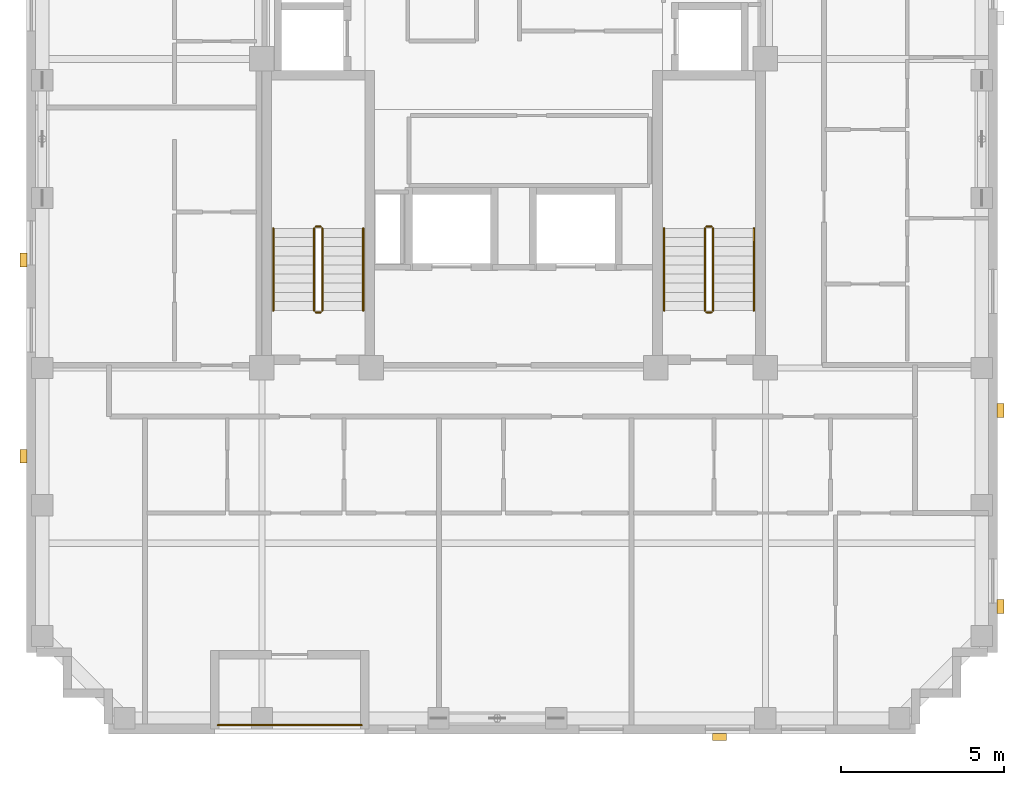
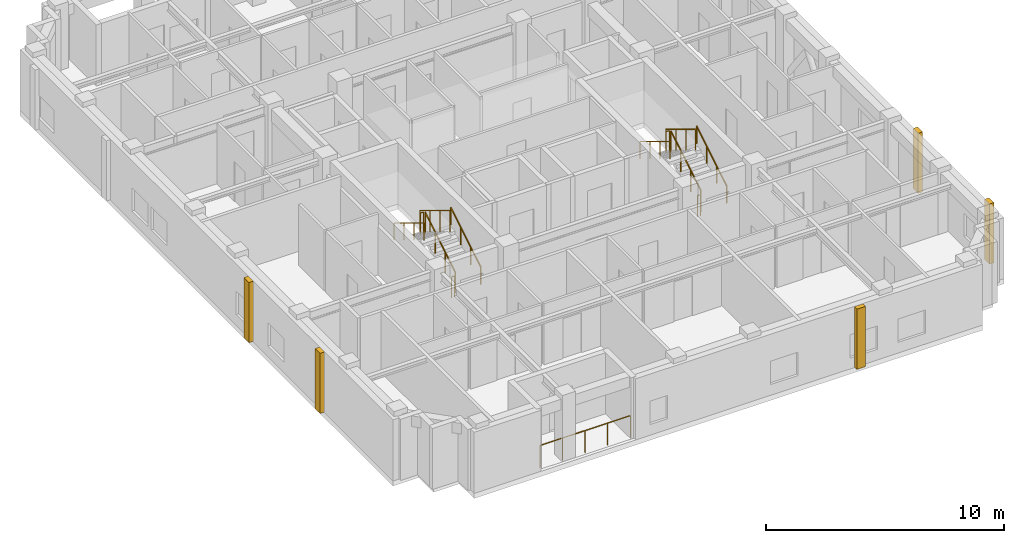
# One storey, part 10 of 11: 13 railings, 5 coverings.
"""IFC4 building model written with IfcOpenShell, lengths in metres."""

from ifc_helpers import new_model, si_unit, derived_unit, direction, frame, origin, origin_2d, place, context, subcontext, project, spatial, rectangle, circle, extrude, material, layer, layer_set, type_object, element, save


model = new_model("IFC4")

# Units and contexts
model_context = context("Model", 3, precision=1e-05, world=origin(), true_north=direction((0.0, 1.0)))
body_context = subcontext(model_context, "Body", "Model", "MODEL_VIEW")
ifc_project = project(units=[si_unit("LENGTHUNIT", "METRE"), si_unit("AREAUNIT", "SQUARE_METRE"), si_unit("VOLUMEUNIT", "CUBIC_METRE"), si_unit("PLANEANGLEUNIT", "RADIAN"), si_unit("MASSUNIT", "GRAM", prefix="KILO"), derived_unit("THERMALTRANSMITTANCEUNIT", [(si_unit("MASSUNIT", "GRAM", prefix="KILO"), 1), (si_unit("TIMEUNIT", "SECOND"), -3), (si_unit("THERMODYNAMICTEMPERATUREUNIT", "KELVIN"), -1)])], contexts=[model_context])

# Site, building, storey
site_placement = place(None, origin())
site = spatial("IfcSite", under=ifc_project, at=site_placement, CompositionType="ELEMENT")
building_placement = place(site_placement, origin())
building = spatial("IfcBuilding", under=site, at=building_placement, Name="Korrvale Station Residences", CompositionType="ELEMENT")
storey_placement = place(building_placement, frame((0.0, 0.0, 247.89990234375)))
storey = spatial("IfcBuildingStorey", under=building, at=storey_placement, Name="L72", CompositionType="ELEMENT", Elevation=247.89990234375)

# Coverings
ifc_material_1 = material(Name="Architectural precast concrete C45/55", Category="concrete")
ifc_layer = layer(ifc_material_1, 0.219970703125, Name="Architectural precast concrete C45/55")
ifc_layer_set = layer_set([ifc_layer], Name="Architectural precast concrete C45/55")
covering_type = type_object("IfcCoveringType", Name="COV-PIER-400", PredefinedType="CLADDING", material=ifc_layer_set)
for number, where, z_axis, x_axis, name in (
    (1, (31.800048828125, 3.7099609375, 0.02490234375), (0.0, 0.0, 1.0), (1.0, 0.0, 0.0), "L72 Architectural Precast Facade Pier 01"),
    (2, (10.510009765625, 12.300048828125, 0.02490234375), (0.0, 0.0, 1.0), (0.0, 1.0, 0.0), "L72 Architectural Precast Facade Pier 02"),
    (3, (10.510009765625, 18.300048828125, 0.02490234375), (0.0, 0.0, 1.0), (0.0, 1.0, 0.0), "L72 Architectural Precast Facade Pier 03"),
    (4, (40.389892578125, 13.699951171875, 0.02490234375), (0.0, 0.0, 1.0), (0.0, 1.0, 0.0), "L72 Architectural Precast Facade Pier 08"),
    (5, (40.389892578125, 7.699951171875, 0.02490234375), (0.0, 0.0, 1.0), (0.0, 1.0, 0.0), "L72 Architectural Precast Facade Pier 09"),
):
    element("IfcCovering", number, at=place(storey_placement, frame(where, z_axis=z_axis, x_axis=x_axis)), inside=storey, type_object=covering_type, Name=name, PredefinedType="CLADDING", context=body_context, shape_type="SweptSolid", body=[
        extrude(rectangle(XDim=0.419921875, YDim=0.219970703125, at=origin_2d()), origin(), (0.0, 0.0, 1.0), 3.090087890625),
    ])

# Railings
ifc_material_2 = material(Name="Powder-coated aluminium picket loggia guard", Category="aluminium")
railing_type_1 = type_object("IfcRailingType", Name="RLG-BAL-1150", PredefinedType="GUARDRAIL", material=ifc_material_2)
railing_1_placement = place(storey_placement, frame((16.449951171875, 4.070068359375, 0.0)))
element("IfcRailing", 6, at=railing_1_placement, inside=storey, type_object=railing_type_1, Name="L72 Recessed Loggia Guardrail BAL-L72-S1", PredefinedType="GUARDRAIL", context=body_context, shape_type="SweptSolid", body=[
    extrude(circle(Radius=0.02392578125, at=origin_2d()), frame((0.0, 0.0, 1.1259765625), z_axis=(1.0, 0.0, 0.0), x_axis=(0.0, 1.0, 0.0)), (0.0, 0.0, 1.0), 4.400146484375),
    extrude(circle(Radius=0.02099609375, at=origin_2d()), origin(), (0.0, 0.0, 1.0), 1.101806640625),
    extrude(circle(Radius=0.02099609375, at=origin_2d()), frame((1.10009765625, 0.0, 0.0)), (0.0, 0.0, 1.0), 1.101806640625),
    extrude(circle(Radius=0.02099609375, at=origin_2d()), frame((2.2001953125, 0.0, 0.0)), (0.0, 0.0, 1.0), 1.101806640625),
    extrude(circle(Radius=0.02099609375, at=origin_2d()), frame((3.300048828125, 0.0, 0.0)), (0.0, 0.0, 1.0), 1.101806640625),
    extrude(circle(Radius=0.02099609375, at=origin_2d()), frame((4.400146484375, 0.0, 0.0)), (0.0, 0.0, 1.0), 1.101806640625),
])
ifc_material_3 = material(Name="Brushed stainless-steel continuous stair handrail", Category="steel")
railing_type_2 = type_object("IfcRailingType", Name="RLG-SHND-900", PredefinedType="HANDRAIL", material=ifc_material_3)
railing_2_placement = place(storey_placement, frame((20.89990234375, 16.75, 0.170166015625)))
element("IfcRailing", 7, at=railing_2_placement, inside=storey, type_object=railing_type_2, Name="L72 ST-1 stair handrail 1", PredefinedType="HANDRAIL", context=body_context, shape_type="SweptSolid", body=[
    extrude(circle(Radius=0.02392578125, at=origin_2d()), frame((0.0, 0.0, 0.8759765625), z_axis=(0.0, 0.85478489116, 0.518982456201), x_axis=(-1.0, 0.0, 0.0)), (0.0, 0.0, 1.0), 2.9482421875),
    extrude(circle(Radius=0.02099609375, at=origin_2d()), origin(), (0.0, 0.0, 1.0), 0.851806640625),
    extrude(circle(Radius=0.02099609375, at=origin_2d()), frame((0.0, 0.840087890625, 0.510009765625)), (0.0, 0.0, 1.0), 0.851806640625),
    extrude(circle(Radius=0.02099609375, at=origin_2d()), frame((0.0, 1.679931640625, 1.02001953125)), (0.0, 0.0, 1.0), 0.851806640625),
    extrude(circle(Radius=0.02099609375, at=origin_2d()), frame((0.0, 2.52001953125, 1.530029296875)), (0.0, 0.0, 1.0), 0.851806640625),
])
railing_3_placement = place(storey_placement, frame((18.14990234375, 19.27001953125, 1.8701171875)))
element("IfcRailing", 8, at=railing_3_placement, inside=storey, type_object=railing_type_2, Name="L72 ST-1 stair handrail 2", PredefinedType="HANDRAIL", context=body_context, shape_type="SweptSolid", body=[
    extrude(circle(Radius=0.02392578125, at=origin_2d()), frame((0.0, 0.0, 0.8759765625), z_axis=(0.0, -0.85478489116, 0.518982456201), x_axis=(1.0, 0.0, 0.0)), (0.0, 0.0, 1.0), 2.9482421875),
    extrude(circle(Radius=0.02099609375, at=origin_2d()), origin(), (0.0, 0.0, 1.0), 0.851806640625),
    extrude(circle(Radius=0.02099609375, at=origin_2d()), frame((0.0, -0.840087890625, 0.510009765625)), (0.0, 0.0, 1.0), 0.851806640625),
    extrude(circle(Radius=0.02099609375, at=origin_2d()), frame((0.0, -1.679931640625, 1.02001953125)), (0.0, 0.0, 1.0), 0.851806640625),
    extrude(circle(Radius=0.02099609375, at=origin_2d()), frame((0.0, -2.52001953125, 1.530029296875)), (0.0, 0.0, 1.0), 0.851806640625),
])
railing_4_placement = place(storey_placement, frame((32.85009765625, 16.75, 0.170166015625)))
element("IfcRailing", 9, at=railing_4_placement, inside=storey, type_object=railing_type_2, Name="L72 ST-2 stair handrail 1", PredefinedType="HANDRAIL", context=body_context, shape_type="SweptSolid", body=[
    extrude(circle(Radius=0.02392578125, at=origin_2d()), frame((0.0, 0.0, 0.8759765625), z_axis=(0.0, 0.85478489116, 0.518982456201), x_axis=(-1.0, 0.0, 0.0)), (0.0, 0.0, 1.0), 2.9482421875),
    extrude(circle(Radius=0.02099609375, at=origin_2d()), origin(), (0.0, 0.0, 1.0), 0.851806640625),
    extrude(circle(Radius=0.02099609375, at=origin_2d()), frame((0.0, 0.840087890625, 0.510009765625)), (0.0, 0.0, 1.0), 0.851806640625),
    extrude(circle(Radius=0.02099609375, at=origin_2d()), frame((0.0, 1.679931640625, 1.02001953125)), (0.0, 0.0, 1.0), 0.851806640625),
    extrude(circle(Radius=0.02099609375, at=origin_2d()), frame((0.0, 2.52001953125, 1.530029296875)), (0.0, 0.0, 1.0), 0.851806640625),
])
railing_5_placement = place(storey_placement, frame((30.10009765625, 19.27001953125, 1.8701171875)))
element("IfcRailing", 10, at=railing_5_placement, inside=storey, type_object=railing_type_2, Name="L72 ST-2 stair handrail 2", PredefinedType="HANDRAIL", context=body_context, shape_type="SweptSolid", body=[
    extrude(circle(Radius=0.02392578125, at=origin_2d()), frame((0.0, 0.0, 0.8759765625), z_axis=(0.0, -0.85478489116, 0.518982456201), x_axis=(1.0, 0.0, 0.0)), (0.0, 0.0, 1.0), 2.9482421875),
    extrude(circle(Radius=0.02099609375, at=origin_2d()), origin(), (0.0, 0.0, 1.0), 0.851806640625),
    extrude(circle(Radius=0.02099609375, at=origin_2d()), frame((0.0, -0.840087890625, 0.510009765625)), (0.0, 0.0, 1.0), 0.851806640625),
    extrude(circle(Radius=0.02099609375, at=origin_2d()), frame((0.0, -1.679931640625, 1.02001953125)), (0.0, 0.0, 1.0), 0.851806640625),
    extrude(circle(Radius=0.02099609375, at=origin_2d()), frame((0.0, -2.52001953125, 1.530029296875)), (0.0, 0.0, 1.0), 0.851806640625),
])
ifc_material_4 = material(Name="Galvanised painted tubular steel stair guard", Category="steel")
railing_type_3 = type_object("IfcRailingType", Name="RLG-STR-1100", PredefinedType="GUARDRAIL", material=ifc_material_4)
railing_6_placement = place(storey_placement, frame((19.64990234375, 16.75, 0.170166015625)))
element("IfcRailing", 11, at=railing_6_placement, inside=storey, type_object=railing_type_3, Name="L72 ST-1 stair guard 1", PredefinedType="GUARDRAIL", context=body_context, shape_type="SweptSolid", body=[
    extrude(circle(Radius=0.02392578125, at=origin_2d()), frame((0.0, 0.0, 1.076171875), z_axis=(0.0, 0.85478489116, 0.518982456201), x_axis=(-1.0, 0.0, 0.0)), (0.0, 0.0, 1.0), 2.9482421875),
    extrude(circle(Radius=0.02099609375, at=origin_2d()), origin(), (0.0, 0.0, 1.0), 1.052001953125),
    extrude(circle(Radius=0.02099609375, at=origin_2d()), frame((0.0, 0.840087890625, 0.510009765625)), (0.0, 0.0, 1.0), 1.052001953125),
    extrude(circle(Radius=0.02099609375, at=origin_2d()), frame((0.0, 1.679931640625, 1.02001953125)), (0.0, 0.0, 1.0), 1.052001953125),
    extrude(circle(Radius=0.02099609375, at=origin_2d()), frame((0.0, 2.52001953125, 1.530029296875)), (0.0, 0.0, 1.0), 1.052001953125),
])
railing_7_placement = place(storey_placement, frame((19.60009765625, 19.320068359375, 1.7001953125)))
element("IfcRailing", 12, at=railing_7_placement, inside=storey, type_object=railing_type_3, Name="L72 ST-1 stair guard 2", PredefinedType="GUARDRAIL", context=body_context, shape_type="SweptSolid", body=[
    extrude(circle(Radius=0.02392578125, at=origin_2d()), frame((0.0, 0.0, 1.076171875), z_axis=(-1.0, 0.0, 0.0), x_axis=(0.0, -1.0, 0.0)), (0.0, 0.0, 1.0), 0.150146484375),
    extrude(circle(Radius=0.02099609375, at=origin_2d()), origin(), (0.0, 0.0, 1.0), 1.052001953125),
    extrude(circle(Radius=0.02099609375, at=origin_2d()), frame((-0.150146484375, 0.0, 0.0)), (0.0, 0.0, 1.0), 1.052001953125),
])
railing_8_placement = place(storey_placement, frame((19.39990234375, 19.27001953125, 1.8701171875)))
element("IfcRailing", 13, at=railing_8_placement, inside=storey, type_object=railing_type_3, Name="L72 ST-1 stair guard 3", PredefinedType="GUARDRAIL", context=body_context, shape_type="SweptSolid", body=[
    extrude(circle(Radius=0.02392578125, at=origin_2d()), frame((0.0, 0.0, 1.076171875), z_axis=(0.0, -0.85478489116, 0.518982456201), x_axis=(1.0, 0.0, 0.0)), (0.0, 0.0, 1.0), 2.9482421875),
    extrude(circle(Radius=0.02099609375, at=origin_2d()), origin(), (0.0, 0.0, 1.0), 1.052001953125),
    extrude(circle(Radius=0.02099609375, at=origin_2d()), frame((0.0, -0.840087890625, 0.510009765625)), (0.0, 0.0, 1.0), 1.052001953125),
    extrude(circle(Radius=0.02099609375, at=origin_2d()), frame((0.0, -1.679931640625, 1.02001953125)), (0.0, 0.0, 1.0), 1.052001953125),
    extrude(circle(Radius=0.02099609375, at=origin_2d()), frame((0.0, -2.52001953125, 1.530029296875)), (0.0, 0.0, 1.0), 1.052001953125),
])
railing_9_placement = place(storey_placement, frame((19.60009765625, 16.699951171875, 0.0)))
element("IfcRailing", 14, at=railing_9_placement, inside=storey, type_object=railing_type_3, Name="L72 ST-1 stair guard 4", PredefinedType="GUARDRAIL", context=body_context, shape_type="SweptSolid", body=[
    extrude(circle(Radius=0.02392578125, at=origin_2d()), frame((0.0, 0.0, 1.076171875), z_axis=(-1.0, 0.0, 0.0), x_axis=(0.0, -1.0, 0.0)), (0.0, 0.0, 1.0), 0.150146484375),
    extrude(circle(Radius=0.02099609375, at=origin_2d()), origin(), (0.0, 0.0, 1.0), 1.052001953125),
    extrude(circle(Radius=0.02099609375, at=origin_2d()), frame((-0.150146484375, 0.0, 0.0)), (0.0, 0.0, 1.0), 1.052001953125),
])
railing_10_placement = place(storey_placement, frame((31.60009765625, 16.75, 0.170166015625)))
element("IfcRailing", 15, at=railing_10_placement, inside=storey, type_object=railing_type_3, Name="L72 ST-2 stair guard 1", PredefinedType="GUARDRAIL", context=body_context, shape_type="SweptSolid", body=[
    extrude(circle(Radius=0.02392578125, at=origin_2d()), frame((0.0, 0.0, 1.076171875), z_axis=(0.0, 0.85478489116, 0.518982456201), x_axis=(-1.0, 0.0, 0.0)), (0.0, 0.0, 1.0), 2.9482421875),
    extrude(circle(Radius=0.02099609375, at=origin_2d()), origin(), (0.0, 0.0, 1.0), 1.052001953125),
    extrude(circle(Radius=0.02099609375, at=origin_2d()), frame((0.0, 0.840087890625, 0.510009765625)), (0.0, 0.0, 1.0), 1.052001953125),
    extrude(circle(Radius=0.02099609375, at=origin_2d()), frame((0.0, 1.679931640625, 1.02001953125)), (0.0, 0.0, 1.0), 1.052001953125),
    extrude(circle(Radius=0.02099609375, at=origin_2d()), frame((0.0, 2.52001953125, 1.530029296875)), (0.0, 0.0, 1.0), 1.052001953125),
])
railing_11_placement = place(storey_placement, frame((31.550048828125, 19.320068359375, 1.7001953125)))
element("IfcRailing", 16, at=railing_11_placement, inside=storey, type_object=railing_type_3, Name="L72 ST-2 stair guard 2", PredefinedType="GUARDRAIL", context=body_context, shape_type="SweptSolid", body=[
    extrude(circle(Radius=0.02392578125, at=origin_2d()), frame((0.0, 0.0, 1.076171875), z_axis=(-1.0, 0.0, 0.0), x_axis=(0.0, -1.0, 0.0)), (0.0, 0.0, 1.0), 0.150146484375),
    extrude(circle(Radius=0.02099609375, at=origin_2d()), origin(), (0.0, 0.0, 1.0), 1.052001953125),
    extrude(circle(Radius=0.02099609375, at=origin_2d()), frame((-0.150146484375, 0.0, 0.0)), (0.0, 0.0, 1.0), 1.052001953125),
])
railing_12_placement = place(storey_placement, frame((31.35009765625, 19.27001953125, 1.8701171875)))
element("IfcRailing", 17, at=railing_12_placement, inside=storey, type_object=railing_type_3, Name="L72 ST-2 stair guard 3", PredefinedType="GUARDRAIL", context=body_context, shape_type="SweptSolid", body=[
    extrude(circle(Radius=0.02392578125, at=origin_2d()), frame((0.0, 0.0, 1.076171875), z_axis=(0.0, -0.85478489116, 0.518982456201), x_axis=(1.0, 0.0, 0.0)), (0.0, 0.0, 1.0), 2.9482421875),
    extrude(circle(Radius=0.02099609375, at=origin_2d()), origin(), (0.0, 0.0, 1.0), 1.052001953125),
    extrude(circle(Radius=0.02099609375, at=origin_2d()), frame((0.0, -0.840087890625, 0.510009765625)), (0.0, 0.0, 1.0), 1.052001953125),
    extrude(circle(Radius=0.02099609375, at=origin_2d()), frame((0.0, -1.679931640625, 1.02001953125)), (0.0, 0.0, 1.0), 1.052001953125),
    extrude(circle(Radius=0.02099609375, at=origin_2d()), frame((0.0, -2.52001953125, 1.530029296875)), (0.0, 0.0, 1.0), 1.052001953125),
])
railing_13_placement = place(storey_placement, frame((31.550048828125, 16.699951171875, 0.0)))
element("IfcRailing", 18, at=railing_13_placement, inside=storey, type_object=railing_type_3, Name="L72 ST-2 stair guard 4", PredefinedType="GUARDRAIL", context=body_context, shape_type="SweptSolid", body=[
    extrude(circle(Radius=0.02392578125, at=origin_2d()), frame((0.0, 0.0, 1.076171875), z_axis=(-1.0, 0.0, 0.0), x_axis=(0.0, -1.0, 0.0)), (0.0, 0.0, 1.0), 0.150146484375),
    extrude(circle(Radius=0.02099609375, at=origin_2d()), origin(), (0.0, 0.0, 1.0), 1.052001953125),
    extrude(circle(Radius=0.02099609375, at=origin_2d()), frame((-0.150146484375, 0.0, 0.0)), (0.0, 0.0, 1.0), 1.052001953125),
])

save(model, "model.ifc")
